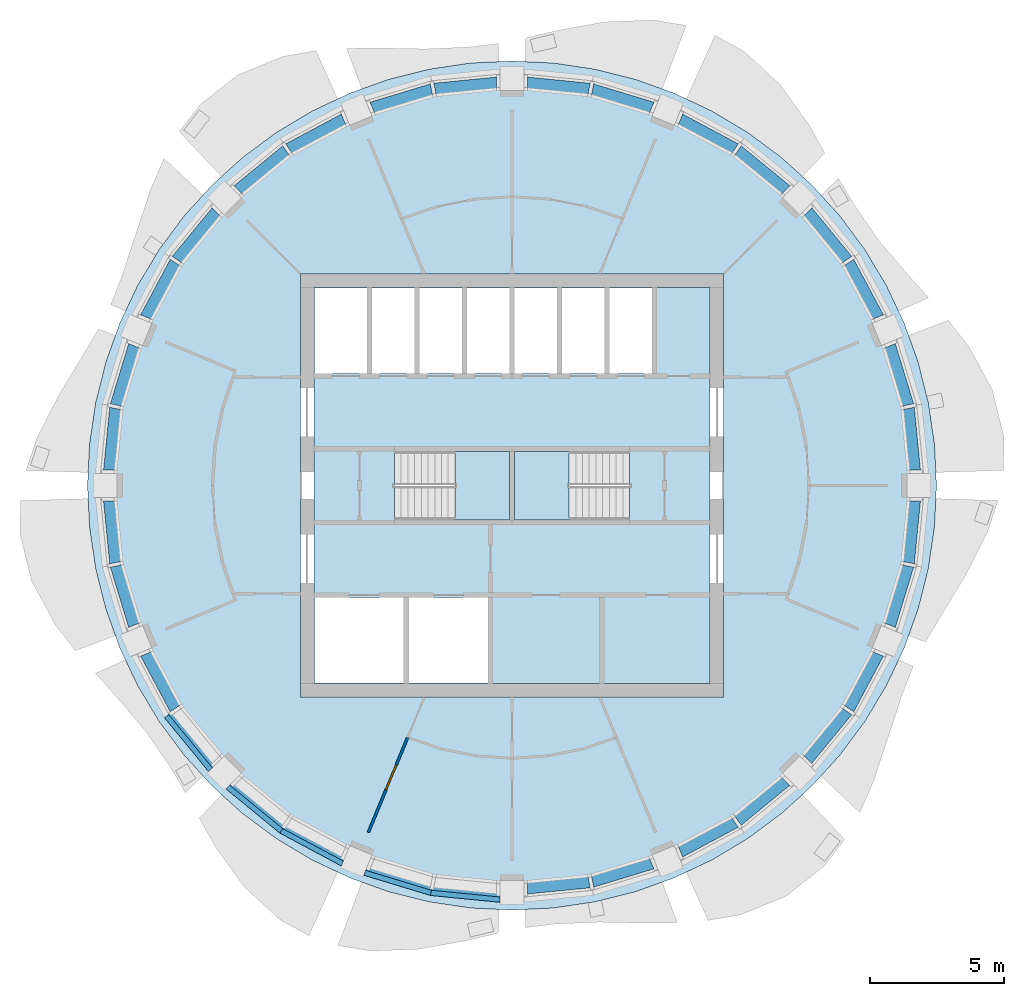
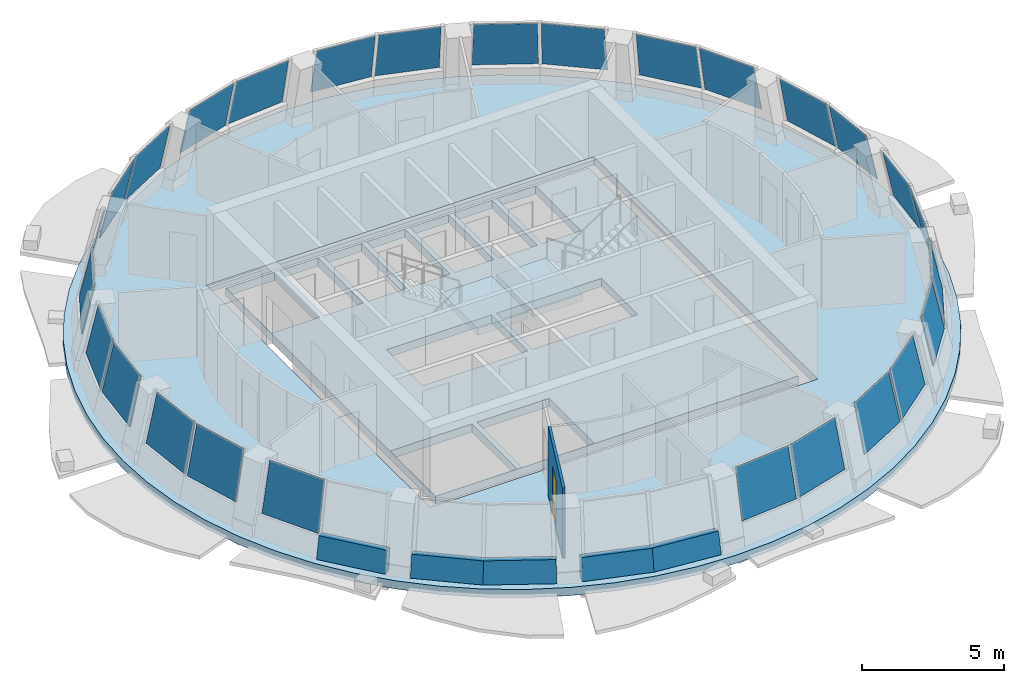
# One storey, part 3 of 11: 27 plates, 6 walls, 4 slabs, 1 door, 1 opening, 16 elements without a shape of their own.
"""IFC4 building model written with IfcOpenShell, lengths in metres."""

from ifc_helpers import new_model, si_unit, direction, frame, frame_2d, origin, place, context, subcontext, project, spatial, polyline, rectangle, outline, extrude, material, layer, layer_set, type_object, element, fill, aggregate, save


model = new_model("IFC4")

# Units and contexts
model_context = context("Model", 3, precision=1e-05, world=origin(), true_north=direction((0.0, 1.0)))
body_context = subcontext(model_context, "Body", "Model", "MODEL_VIEW")
ifc_project = project(units=[si_unit("LENGTHUNIT", "METRE"), si_unit("AREAUNIT", "SQUARE_METRE"), si_unit("VOLUMEUNIT", "CUBIC_METRE"), si_unit("PLANEANGLEUNIT", "RADIAN"), si_unit("MASSUNIT", "GRAM", prefix="KILO")], contexts=[model_context])

# Site, building, storey
site_placement = place(None, origin())
site = spatial("IfcSite", under=ifc_project, at=site_placement, CompositionType="ELEMENT")
building_placement = place(site_placement, origin())
building = spatial("IfcBuilding", under=site, at=building_placement, Name="Polderwave Tower", CompositionType="ELEMENT")
storey_placement = place(building_placement, frame((0.0, 0.0, 224.5)))
storey = spatial("IfcBuildingStorey", under=building, at=storey_placement, Name="L61", CompositionType="ELEMENT", Elevation=224.5)

# Slab
ifc_material_1 = material(Name="Concrete C40/50", Category="concrete")
ifc_layer_1 = layer(ifc_material_1, 0.35009765625)
ifc_layer_set_1 = layer_set([ifc_layer_1], Name="Core floor slab 350")
slab_type_1 = type_object("IfcSlabType", Name="Core floor slab 350", PredefinedType="FLOOR", material=ifc_layer_set_1)
slab_1_placement = place(storey_placement, frame((0.0, 0.0, -0.35009765625)))
element("IfcSlab", 1, at=slab_1_placement, inside=storey, type_object=slab_type_1, Name="L61 core floor", PredefinedType="FLOOR", context=body_context, shape_type="SweptSolid", body=[
    extrude(outline(polyline([(-7.3740234375, -7.3740234375), (7.3740234375, -7.3740234375), (7.3740234375, 7.3740234375), (-7.3740234375, 7.3740234375), (-7.3740234375, -7.3740234375)]), holes=[polyline([(-7.35400390625, -7.35400390625), (-4.037109375, -7.35400390625), (-4.037109375, -4.174072265625), (-7.35400390625, -4.174072265625), (-7.35400390625, -7.35400390625)]), polyline([(-3.8369140625, -7.35400390625), (-0.89990234375, -7.35400390625), (-0.89990234375, -4.174072265625), (-3.8369140625, -4.174072265625), (-3.8369140625, -7.35400390625)]), polyline([(-7.35400390625, 4.174072265625), (-5.405517578125, 4.174072265625), (-5.405517578125, 7.35400390625), (-7.35400390625, 7.35400390625), (-7.35400390625, 4.174072265625)]), polyline([(-5.20556640625, 4.174072265625), (-3.636962890625, 4.174072265625), (-3.636962890625, 7.35400390625), (-5.20556640625, 7.35400390625), (-5.20556640625, 4.174072265625)]), polyline([(-3.43701171875, 4.174072265625), (-1.868408203125, 4.174072265625), (-1.868408203125, 7.35400390625), (-3.43701171875, 7.35400390625), (-3.43701171875, 4.174072265625)]), polyline([(-1.66845703125, 4.174072265625), (-0.10009765625, 4.174072265625), (-0.10009765625, 7.35400390625), (-1.66845703125, 7.35400390625), (-1.66845703125, 4.174072265625)]), polyline([(0.10009765625, 4.174072265625), (1.66845703125, 4.174072265625), (1.66845703125, 7.35400390625), (0.10009765625, 7.35400390625), (0.10009765625, 4.174072265625)]), polyline([(1.868408203125, 4.174072265625), (3.43701171875, 4.174072265625), (3.43701171875, 7.35400390625), (1.868408203125, 7.35400390625), (1.868408203125, 4.174072265625)]), polyline([(3.636962890625, 4.174072265625), (5.20556640625, 4.174072265625), (5.20556640625, 7.35400390625), (3.636962890625, 7.35400390625), (3.636962890625, 4.174072265625)]), polyline([(-4.37353515625, -1.2744140625), (-0.1005859375, -1.2744140625), (-0.1005859375, 1.2744140625), (-4.37353515625, 1.2744140625), (-4.37353515625, -1.2744140625)]), polyline([(0.1005859375, -1.2744140625), (4.37353515625, -1.2744140625), (4.37353515625, 1.2744140625), (0.1005859375, 1.2744140625), (0.1005859375, -1.2744140625)])]), origin(), (0.0, 0.0, 1.0), 0.35009765625),
])

# Curtain wall, plates
ifc_material_2 = material(Name="Aluminium 6063-T6 and glass", Category="aluminium")
curtain_wall_type = type_object("IfcCurtainWallType", Name="Office ribbon glazing, leaning storey wall", PredefinedType="NOTDEFINED", material=ifc_material_2)
curtain_wall_1_placement = place(storey_placement, origin())
curtain_wall_1 = element("IfcCurtainWall", 2, at=curtain_wall_1_placement, inside=storey, type_object=curtain_wall_type, Name="CW9 L61 00", PredefinedType="NOTDEFINED")
ifc_material_3 = material(Name="Glass, low-e laminated double glazing", Category="glass")
ifc_layer_2 = layer(ifc_material_3, 0.031982421875)
ifc_layer_set_2 = layer_set([ifc_layer_2], Name="Office ribbon glazing, leaning storey glass panel 32 mm")
plate_type = type_object("IfcPlateType", Name="Office ribbon glazing, leaning storey glass panel 32 mm", PredefinedType="CURTAIN_PANEL", material=ifc_layer_set_2)
plate_1_placement = place(storey_placement, frame((15.201904296875, 0.579345703125, 0.89990234375), z_axis=(0.972508174075, 0.095621413296, 0.212330866047), x_axis=(-0.097855491372, 0.995200634364, 1.3064827e-05)))
plate_1 = element("IfcPlate", 3, at=plate_1_placement, type_object=plate_type, Name="CW9 panel 1", PredefinedType="CURTAIN_PANEL", context=body_context, shape_type="SweptSolid", body=[
    extrude(outline(polyline([(0.0, 0.0), (2.3437819879392676, 6.938893903907228e-18), (2.300051819724708, 2.0878609082277633), (0.043626816760536646, 2.0876725740864033), (0.0, 0.0)])), origin(), (0.0, 0.0, -1.0), 0.031982421875),
])
plate_2_placement = place(storey_placement, frame((14.947265625, 3.038818359375, 0.89990234375), z_axis=(0.935037416916, 0.28380342779, 0.212510337024), x_axis=(-0.290437128398, 0.956894076921, -1.11406e-06)))
plate_2 = element("IfcPlate", 4, at=plate_2_placement, type_object=plate_type, Name="CW9 panel 2", PredefinedType="CURTAIN_PANEL", context=body_context, shape_type="SweptSolid", body=[
    extrude(outline(polyline([(0.0, 0.0), (2.3444650449047857, 2.7755575615628914e-17), (2.3007856422574893, 2.0877277951131155), (0.04382551183935633, 2.087722549024382), (0.0, 0.0)])), origin(), (0.0, 0.0, -1.0), 0.031982421875),
])
aggregate(curtain_wall_1, [plate_1, plate_2])

curtain_wall_2_placement = place(storey_placement, origin())
curtain_wall_2 = element("IfcCurtainWall", 5, at=curtain_wall_2_placement, inside=storey, type_object=curtain_wall_type, Name="CW9 L61 01", PredefinedType="NOTDEFINED")
plate_3_placement = place(storey_placement, frame((13.822998046875, 6.352294921875, 0.89990234375), z_axis=(0.861814127716, 0.460512157525, 0.212614585673), x_axis=(-0.471287750256, 0.881979510226, 7.25462e-07)))
plate_3 = element("IfcPlate", 6, at=plate_3_placement, type_object=plate_type, Name="CW9 panel 1", PredefinedType="CURTAIN_PANEL", context=body_context, shape_type="SweptSolid", body=[
    extrude(outline(polyline([(0.0, 0.0), (2.344583693669687, 0.0), (2.3002594028863528, 2.087771916569417), (0.04370998699872591, 2.0877753326216024), (0.0, 0.0)])), origin(), (0.0, 0.0, -1.0), 0.031982421875),
])
plate_4_placement = place(storey_placement, frame((12.646240234375, 8.527587890625, 0.89990234375), z_axis=(0.755348638248, 0.619883573612, 0.212585958764), x_axis=(-0.63438428693, 0.773017837113, 1.166226e-06)))
plate_4 = element("IfcPlate", 7, at=plate_4_placement, type_object=plate_type, Name="CW9 panel 2", PredefinedType="CURTAIN_PANEL", context=body_context, shape_type="SweptSolid", body=[
    extrude(outline(polyline([(0.0, 0.0), (2.3440852243026784, 0.0), (2.3008907951309863, 2.0877575704048743), (0.043364006357660495, 2.087763062461303), (0.0, 0.0)])), origin(), (0.0, 0.0, -1.0), 0.031982421875),
])
aggregate(curtain_wall_2, [plate_3, plate_4])

curtain_wall_3_placement = place(storey_placement, origin())
curtain_wall_3 = element("IfcCurtainWall", 8, at=curtain_wall_3_placement, inside=storey, type_object=curtain_wall_type, Name="CW9 L61 02", PredefinedType="NOTDEFINED")
plate_5_placement = place(storey_placement, frame((10.339599609375, 11.1591796875, 0.89990234375), z_axis=(0.619915640081, 0.755369947253, 0.21241667065), x_axis=(-0.773010851053, 0.634392799575, 1.228565e-06)))
plate_5 = element("IfcPlate", 9, at=plate_5_placement, type_object=plate_type, Name="CW9 panel 1", PredefinedType="CURTAIN_PANEL", context=body_context, shape_type="SweptSolid", body=[
    extrude(outline(polyline([(0.0, 0.0), (2.344085224298744, 0.0), (2.300687373709185, 2.0879286108171056), (0.04316058492420179, 2.0876845539973874), (0.0, 0.0)])), origin(), (0.0, 0.0, -1.0), 0.031982421875),
])
plate_6_placement = place(storey_placement, frame((8.420166015625, 12.718017578125, 0.89990234375), z_axis=(0.460493305014, 0.861830692327, 0.21258827296), x_axis=(-0.881990762305, 0.471266692197, -5.919806e-06)))
plate_6 = element("IfcPlate", 10, at=plate_6_placement, type_object=plate_type, Name="CW9 panel 2", PredefinedType="CURTAIN_PANEL", context=body_context, shape_type="SweptSolid", body=[
    extrude(outline(polyline([(0.0, 0.0), (2.344583692774318, -2.7755575615628914e-17), (2.3008737075496373, 2.0877753316532393), (0.04410896236419888, 2.0877474553612014), (0.0, 0.0)])), origin(), (0.0, 0.0, -1.0), 0.031982421875),
])
aggregate(curtain_wall_3, [plate_5, plate_6])

curtain_wall_4_placement = place(storey_placement, origin())
curtain_wall_4 = element("IfcCurtainWall", 11, at=curtain_wall_4_placement, inside=storey, type_object=curtain_wall_type, Name="CW9 L61 03", PredefinedType="NOTDEFINED")
plate_7_placement = place(storey_placement, frame((5.2822265625, 14.266357421875, 0.89990234375), z_axis=(0.283872566469, 0.935055597872, 0.212337926179), x_axis=(-0.956876796998, 0.290494053588, 1.4039898e-05)))
plate_7 = element("IfcPlate", 12, at=plate_7_placement, type_object=plate_type, Name="CW9 panel 1", PredefinedType="CURTAIN_PANEL", context=body_context, shape_type="SweptSolid", body=[
    extrude(outline(polyline([(0.0, 0.0), (2.3444650398120883, 0.0), (2.30078135067387, 2.08786188043854), (0.04375029886225355, 2.0876781547228083), (0.0, 0.0)])), origin(), (0.0, 0.0, -1.0), 0.031982421875),
])
plate_8_placement = place(storey_placement, frame((2.911865234375, 14.972412109375, 0.89990234375), z_axis=(0.095680185962, 0.972463331795, 0.212509694669), x_axis=(-0.995194619632, 0.097916643408, 2.8699e-07)))
plate_8 = element("IfcPlate", 13, at=plate_8_placement, type_object=plate_type, Name="CW9 panel 2", PredefinedType="CURTAIN_PANEL", context=body_context, shape_type="SweptSolid", body=[
    extrude(outline(polyline([(0.0, 0.0), (2.343781992373915, 0.0), (2.300131261716739, 2.0877241979706196), (0.043682366781329855, 2.087725549052429), (0.0, 0.0)])), origin(), (0.0, 0.0, -1.0), 0.031982421875),
])
aggregate(curtain_wall_4, [plate_7, plate_8])

curtain_wall_5_placement = place(storey_placement, origin())
curtain_wall_5 = element("IfcCurtainWall", 14, at=curtain_wall_5_placement, inside=storey, type_object=curtain_wall_type, Name="CW9 L61 04", PredefinedType="NOTDEFINED")
plate_9_placement = place(storey_placement, frame((-0.579345703125, 15.201904296875, 0.89990234375), z_axis=(-0.095621413296, 0.972508174075, 0.212330866047), x_axis=(-0.995200634364, -0.097855491372, 1.3064827e-05)))
plate_9 = element("IfcPlate", 15, at=plate_9_placement, type_object=plate_type, Name="CW9 panel 1", PredefinedType="CURTAIN_PANEL", context=body_context, shape_type="SweptSolid", body=[
    extrude(outline(polyline([(0.0, 0.0), (2.3437819879392676, 6.938893903907228e-18), (2.300051819724708, 2.0878609082277633), (0.043626816760536646, 2.0876725740864033), (0.0, 0.0)])), origin(), (0.0, 0.0, -1.0), 0.031982421875),
])
plate_10_placement = place(storey_placement, frame((-3.038818359375, 14.947265625, 0.89990234375), z_axis=(-0.28380342779, 0.935037416916, 0.212510337024), x_axis=(-0.956894076921, -0.290437128398, -1.11406e-06)))
plate_10 = element("IfcPlate", 16, at=plate_10_placement, type_object=plate_type, Name="CW9 panel 2", PredefinedType="CURTAIN_PANEL", context=body_context, shape_type="SweptSolid", body=[
    extrude(outline(polyline([(0.0, 0.0), (2.3444650449047857, 2.7755575615628914e-17), (2.3007856422574893, 2.0877277951131155), (0.04382551183935633, 2.087722549024382), (0.0, 0.0)])), origin(), (0.0, 0.0, -1.0), 0.031982421875),
])
aggregate(curtain_wall_5, [plate_9, plate_10])

curtain_wall_6_placement = place(storey_placement, origin())
curtain_wall_6 = element("IfcCurtainWall", 17, at=curtain_wall_6_placement, inside=storey, type_object=curtain_wall_type, Name="CW9 L61 05", PredefinedType="NOTDEFINED")
plate_11_placement = place(storey_placement, frame((-6.352294921875, 13.822998046875, 0.89990234375), z_axis=(-0.460512157525, 0.861814127716, 0.212614585673), x_axis=(-0.881979510226, -0.471287750256, 7.25462e-07)))
plate_11 = element("IfcPlate", 18, at=plate_11_placement, type_object=plate_type, Name="CW9 panel 1", PredefinedType="CURTAIN_PANEL", context=body_context, shape_type="SweptSolid", body=[
    extrude(outline(polyline([(0.0, 0.0), (2.344583693669687, 0.0), (2.3002594028863528, 2.087771916569417), (0.04370998699872591, 2.0877753326216024), (0.0, 0.0)])), origin(), (0.0, 0.0, -1.0), 0.031982421875),
])
plate_12_placement = place(storey_placement, frame((-8.527587890625, 12.646240234375, 0.89990234375), z_axis=(-0.619883573612, 0.755348638248, 0.212585958764), x_axis=(-0.773017837113, -0.63438428693, 1.166226e-06)))
plate_12 = element("IfcPlate", 19, at=plate_12_placement, type_object=plate_type, Name="CW9 panel 2", PredefinedType="CURTAIN_PANEL", context=body_context, shape_type="SweptSolid", body=[
    extrude(outline(polyline([(0.0, 0.0), (2.3440852243026784, 0.0), (2.3008907951309863, 2.0877575704048743), (0.043364006357660495, 2.087763062461303), (0.0, 0.0)])), origin(), (0.0, 0.0, -1.0), 0.031982421875),
])
aggregate(curtain_wall_6, [plate_11, plate_12])

curtain_wall_7_placement = place(storey_placement, origin())
curtain_wall_7 = element("IfcCurtainWall", 20, at=curtain_wall_7_placement, inside=storey, type_object=curtain_wall_type, Name="CW9 L61 06", PredefinedType="NOTDEFINED")
plate_13_placement = place(storey_placement, frame((-11.1591796875, 10.339599609375, 0.89990234375), z_axis=(-0.755369947253, 0.619915640081, 0.21241667065), x_axis=(-0.634392799575, -0.773010851053, 1.228565e-06)))
plate_13 = element("IfcPlate", 21, at=plate_13_placement, type_object=plate_type, Name="CW9 panel 1", PredefinedType="CURTAIN_PANEL", context=body_context, shape_type="SweptSolid", body=[
    extrude(outline(polyline([(0.0, 0.0), (2.344085224298744, 0.0), (2.300687373709185, 2.0879286108171056), (0.04316058492420179, 2.0876845539973874), (0.0, 0.0)])), origin(), (0.0, 0.0, -1.0), 0.031982421875),
])
plate_14_placement = place(storey_placement, frame((-12.718017578125, 8.420166015625, 0.89990234375), z_axis=(-0.861830692327, 0.460493305014, 0.21258827296), x_axis=(-0.471266692197, -0.881990762305, -5.919806e-06)))
plate_14 = element("IfcPlate", 22, at=plate_14_placement, type_object=plate_type, Name="CW9 panel 2", PredefinedType="CURTAIN_PANEL", context=body_context, shape_type="SweptSolid", body=[
    extrude(outline(polyline([(0.0, 0.0), (2.344583692774318, -2.7755575615628914e-17), (2.3008737075496373, 2.0877753316532393), (0.04410896236419888, 2.0877474553612014), (0.0, 0.0)])), origin(), (0.0, 0.0, -1.0), 0.031982421875),
])
aggregate(curtain_wall_7, [plate_13, plate_14])

curtain_wall_8_placement = place(storey_placement, origin())
curtain_wall_8 = element("IfcCurtainWall", 23, at=curtain_wall_8_placement, inside=storey, type_object=curtain_wall_type, Name="CW9 L61 07", PredefinedType="NOTDEFINED")
plate_15_placement = place(storey_placement, frame((-14.266357421875, 5.2822265625, 0.89990234375), z_axis=(-0.935055597872, 0.283872566469, 0.212337926179), x_axis=(-0.290494053588, -0.956876796998, 1.4039898e-05)))
plate_15 = element("IfcPlate", 24, at=plate_15_placement, type_object=plate_type, Name="CW9 panel 1", PredefinedType="CURTAIN_PANEL", context=body_context, shape_type="SweptSolid", body=[
    extrude(outline(polyline([(0.0, 0.0), (2.3444650398120883, 0.0), (2.30078135067387, 2.08786188043854), (0.04375029886225355, 2.0876781547228083), (0.0, 0.0)])), origin(), (0.0, 0.0, -1.0), 0.031982421875),
])
plate_16_placement = place(storey_placement, frame((-14.972412109375, 2.911865234375, 0.89990234375), z_axis=(-0.972463331795, 0.095680185962, 0.212509694669), x_axis=(-0.097916643408, -0.995194619632, 2.8699e-07)))
plate_16 = element("IfcPlate", 25, at=plate_16_placement, type_object=plate_type, Name="CW9 panel 2", PredefinedType="CURTAIN_PANEL", context=body_context, shape_type="SweptSolid", body=[
    extrude(outline(polyline([(0.0, 0.0), (2.343781992373915, 0.0), (2.300131261716739, 2.0877241979706196), (0.043682366781329855, 2.087725549052429), (0.0, 0.0)])), origin(), (0.0, 0.0, -1.0), 0.031982421875),
])
aggregate(curtain_wall_8, [plate_15, plate_16])

curtain_wall_9_placement = place(storey_placement, origin())
curtain_wall_9 = element("IfcCurtainWall", 26, at=curtain_wall_9_placement, inside=storey, type_object=curtain_wall_type, Name="CW9 L61 08", PredefinedType="NOTDEFINED")
plate_17_placement = place(storey_placement, frame((-15.201904296875, -0.579345703125, 0.89990234375), z_axis=(-0.972508174075, -0.095621413296, 0.212330866047), x_axis=(0.097855491372, -0.995200634364, 1.3064827e-05)))
plate_17 = element("IfcPlate", 27, at=plate_17_placement, type_object=plate_type, Name="CW9 panel 1", PredefinedType="CURTAIN_PANEL", context=body_context, shape_type="SweptSolid", body=[
    extrude(outline(polyline([(0.0, 0.0), (2.3437819879392676, 6.938893903907228e-18), (2.300051819724708, 2.0878609082277633), (0.043626816760536646, 2.0876725740864033), (0.0, 0.0)])), origin(), (0.0, 0.0, -1.0), 0.031982421875),
])
plate_18_placement = place(storey_placement, frame((-14.947265625, -3.038818359375, 0.89990234375), z_axis=(-0.935037416916, -0.28380342779, 0.212510337024), x_axis=(0.290437128398, -0.956894076921, -1.11406e-06)))
plate_18 = element("IfcPlate", 28, at=plate_18_placement, type_object=plate_type, Name="CW9 panel 2", PredefinedType="CURTAIN_PANEL", context=body_context, shape_type="SweptSolid", body=[
    extrude(outline(polyline([(0.0, 0.0), (2.3444650449047857, 2.7755575615628914e-17), (2.3007856422574893, 2.0877277951131155), (0.04382551183935633, 2.087722549024382), (0.0, 0.0)])), origin(), (0.0, 0.0, -1.0), 0.031982421875),
])
aggregate(curtain_wall_9, [plate_17, plate_18])

# Curtain wall, plate
curtain_wall_10_placement = place(storey_placement, origin())
curtain_wall_10 = element("IfcCurtainWall", 29, at=curtain_wall_10_placement, inside=storey, type_object=curtain_wall_type, Name="CW9 L61 09", PredefinedType="NOTDEFINED")
plate_19_placement = place(storey_placement, frame((-13.822998046875, -6.352294921875, 0.89990234375), z_axis=(-0.861814127716, -0.460512157525, 0.212614585673), x_axis=(0.471287750256, -0.881979510226, 7.25462e-07)))
plate_19 = element("IfcPlate", 30, at=plate_19_placement, type_object=plate_type, Name="CW9 panel 1", PredefinedType="CURTAIN_PANEL", context=body_context, shape_type="SweptSolid", body=[
    extrude(outline(polyline([(0.0, 0.0), (2.344583693669687, 0.0), (2.3002594028863528, 2.087771916569417), (0.04370998699872591, 2.0877753326216024), (0.0, 0.0)])), origin(), (0.0, 0.0, -1.0), 0.031982421875),
])
aggregate(curtain_wall_10, [plate_19])

# Curtain wall, plates
curtain_wall_11_placement = place(storey_placement, origin())
curtain_wall_11 = element("IfcCurtainWall", 31, at=curtain_wall_11_placement, inside=storey, type_object=curtain_wall_type, Name="CW9 L61 12", PredefinedType="NOTDEFINED")
plate_20_placement = place(storey_placement, frame((0.579345703125, -15.201904296875, 0.89990234375), z_axis=(0.095621413296, -0.972508174075, 0.212330866047), x_axis=(0.995200634364, 0.097855491372, 1.3064827e-05)))
plate_20 = element("IfcPlate", 32, at=plate_20_placement, type_object=plate_type, Name="CW9 panel 1", PredefinedType="CURTAIN_PANEL", context=body_context, shape_type="SweptSolid", body=[
    extrude(outline(polyline([(0.0, 0.0), (2.3437819879392676, 6.938893903907228e-18), (2.300051819724708, 2.0878609082277633), (0.043626816760536646, 2.0876725740864033), (0.0, 0.0)])), origin(), (0.0, 0.0, -1.0), 0.031982421875),
])
plate_21_placement = place(storey_placement, frame((3.038818359375, -14.947265625, 0.89990234375), z_axis=(0.28380342779, -0.935037416916, 0.212510337024), x_axis=(0.956894076921, 0.290437128398, -1.11406e-06)))
plate_21 = element("IfcPlate", 33, at=plate_21_placement, type_object=plate_type, Name="CW9 panel 2", PredefinedType="CURTAIN_PANEL", context=body_context, shape_type="SweptSolid", body=[
    extrude(outline(polyline([(0.0, 0.0), (2.3444650449047857, 2.7755575615628914e-17), (2.3007856422574893, 2.0877277951131155), (0.04382551183935633, 2.087722549024382), (0.0, 0.0)])), origin(), (0.0, 0.0, -1.0), 0.031982421875),
])
aggregate(curtain_wall_11, [plate_20, plate_21])

curtain_wall_12_placement = place(storey_placement, origin())
curtain_wall_12 = element("IfcCurtainWall", 34, at=curtain_wall_12_placement, inside=storey, type_object=curtain_wall_type, Name="CW9 L61 13", PredefinedType="NOTDEFINED")
plate_22_placement = place(storey_placement, frame((6.352294921875, -13.822998046875, 0.89990234375), z_axis=(0.460512157525, -0.861814127716, 0.212614585673), x_axis=(0.881979510226, 0.471287750256, 7.25462e-07)))
plate_22 = element("IfcPlate", 35, at=plate_22_placement, type_object=plate_type, Name="CW9 panel 1", PredefinedType="CURTAIN_PANEL", context=body_context, shape_type="SweptSolid", body=[
    extrude(outline(polyline([(0.0, 0.0), (2.344583693669687, 0.0), (2.3002594028863528, 2.087771916569417), (0.04370998699872591, 2.0877753326216024), (0.0, 0.0)])), origin(), (0.0, 0.0, -1.0), 0.031982421875),
])
plate_23_placement = place(storey_placement, frame((8.527587890625, -12.646240234375, 0.89990234375), z_axis=(0.619883573612, -0.755348638248, 0.212585958764), x_axis=(0.773017837113, 0.63438428693, 1.166226e-06)))
plate_23 = element("IfcPlate", 36, at=plate_23_placement, type_object=plate_type, Name="CW9 panel 2", PredefinedType="CURTAIN_PANEL", context=body_context, shape_type="SweptSolid", body=[
    extrude(outline(polyline([(0.0, 0.0), (2.3440852243026784, 0.0), (2.3008907951309863, 2.0877575704048743), (0.043364006357660495, 2.087763062461303), (0.0, 0.0)])), origin(), (0.0, 0.0, -1.0), 0.031982421875),
])
aggregate(curtain_wall_12, [plate_22, plate_23])

curtain_wall_13_placement = place(storey_placement, origin())
curtain_wall_13 = element("IfcCurtainWall", 37, at=curtain_wall_13_placement, inside=storey, type_object=curtain_wall_type, Name="CW9 L61 14", PredefinedType="NOTDEFINED")
plate_24_placement = place(storey_placement, frame((11.1591796875, -10.339599609375, 0.89990234375), z_axis=(0.755369947253, -0.619915640081, 0.21241667065), x_axis=(0.634392799575, 0.773010851053, 1.228565e-06)))
plate_24 = element("IfcPlate", 38, at=plate_24_placement, type_object=plate_type, Name="CW9 panel 1", PredefinedType="CURTAIN_PANEL", context=body_context, shape_type="SweptSolid", body=[
    extrude(outline(polyline([(0.0, 0.0), (2.344085224298744, 0.0), (2.300687373709185, 2.0879286108171056), (0.04316058492420179, 2.0876845539973874), (0.0, 0.0)])), origin(), (0.0, 0.0, -1.0), 0.031982421875),
])
plate_25_placement = place(storey_placement, frame((12.718017578125, -8.420166015625, 0.89990234375), z_axis=(0.861830692327, -0.460493305014, 0.21258827296), x_axis=(0.471266692197, 0.881990762305, -5.919806e-06)))
plate_25 = element("IfcPlate", 39, at=plate_25_placement, type_object=plate_type, Name="CW9 panel 2", PredefinedType="CURTAIN_PANEL", context=body_context, shape_type="SweptSolid", body=[
    extrude(outline(polyline([(0.0, 0.0), (2.344583692774318, -2.7755575615628914e-17), (2.3008737075496373, 2.0877753316532393), (0.04410896236419888, 2.0877474553612014), (0.0, 0.0)])), origin(), (0.0, 0.0, -1.0), 0.031982421875),
])
aggregate(curtain_wall_13, [plate_24, plate_25])

curtain_wall_14_placement = place(storey_placement, origin())
curtain_wall_14 = element("IfcCurtainWall", 40, at=curtain_wall_14_placement, inside=storey, type_object=curtain_wall_type, Name="CW9 L61 15", PredefinedType="NOTDEFINED")
plate_26_placement = place(storey_placement, frame((14.266357421875, -5.2822265625, 0.89990234375), z_axis=(0.935055597872, -0.283872566469, 0.212337926179), x_axis=(0.290494053588, 0.956876796998, 1.4039898e-05)))
plate_26 = element("IfcPlate", 41, at=plate_26_placement, type_object=plate_type, Name="CW9 panel 1", PredefinedType="CURTAIN_PANEL", context=body_context, shape_type="SweptSolid", body=[
    extrude(outline(polyline([(0.0, 0.0), (2.3444650398120883, 0.0), (2.30078135067387, 2.08786188043854), (0.04375029886225355, 2.0876781547228083), (0.0, 0.0)])), origin(), (0.0, 0.0, -1.0), 0.031982421875),
])
plate_27_placement = place(storey_placement, frame((14.972412109375, -2.911865234375, 0.89990234375), z_axis=(0.972463331795, -0.095680185962, 0.212509694669), x_axis=(0.097916643408, 0.995194619632, 2.8699e-07)))
plate_27 = element("IfcPlate", 42, at=plate_27_placement, type_object=plate_type, Name="CW9 panel 2", PredefinedType="CURTAIN_PANEL", context=body_context, shape_type="SweptSolid", body=[
    extrude(outline(polyline([(0.0, 0.0), (2.343781992373915, 0.0), (2.300131261716739, 2.0877241979706196), (0.043682366781329855, 2.087725549052429), (0.0, 0.0)])), origin(), (0.0, 0.0, -1.0), 0.031982421875),
])
aggregate(curtain_wall_14, [plate_26, plate_27])

# Slab
ifc_layer_3 = layer(ifc_material_1, 0.35009765625)
ifc_layer_set_3 = layer_set([ifc_layer_3], Name="PT FLOOR SLAB 350 C40/50")
slab_type_2 = type_object("IfcSlabType", Name="PT FLOOR SLAB 350 C40/50", PredefinedType="FLOOR", material=ifc_layer_set_3)
slab_2_placement = place(storey_placement, frame((0.0, 0.0, -0.35009765625)))
element("IfcSlab", 43, at=slab_2_placement, inside=storey, type_object=slab_type_2, Name="ST-SLAB-L61", PredefinedType="FLOOR", context=body_context, shape_type="SweptSolid", body=[
    extrude(outline(polyline([(15.800048828125, 0.0), (15.723876953125, 1.548583984375), (15.496337890625, 3.08251953125), (15.11962890625, 4.58642578125), (14.597412109375, 6.04638671875), (13.934326171875, 7.447998046875), (13.13720703125, 8.778076171875), (12.213623046875, 10.0234375), (11.17236328125, 11.17236328125), (10.0234375, 12.213623046875), (8.778076171875, 13.13720703125), (7.447998046875, 13.934326171875), (6.04638671875, 14.597412109375), (4.58642578125, 15.11962890625), (3.08251953125, 15.496337890625), (1.548583984375, 15.723876953125), (0.0, 15.800048828125), (-1.548583984375, 15.723876953125), (-3.08251953125, 15.496337890625), (-4.58642578125, 15.11962890625), (-6.04638671875, 14.597412109375), (-7.447998046875, 13.934326171875), (-8.778076171875, 13.13720703125), (-10.0234375, 12.213623046875), (-11.17236328125, 11.17236328125), (-12.213623046875, 10.0234375), (-13.13720703125, 8.778076171875), (-13.934326171875, 7.447998046875), (-14.597412109375, 6.04638671875), (-15.11962890625, 4.58642578125), (-15.496337890625, 3.08251953125), (-15.723876953125, 1.548583984375), (-15.800048828125, 0.0), (-15.723876953125, -1.548583984375), (-15.496337890625, -3.08251953125), (-15.11962890625, -4.58642578125), (-14.597412109375, -6.04638671875), (-13.934326171875, -7.447998046875), (-13.13720703125, -8.778076171875), (-12.213623046875, -10.0234375), (-11.17236328125, -11.17236328125), (-10.0234375, -12.213623046875), (-8.778076171875, -13.13720703125), (-7.447998046875, -13.934326171875), (-6.04638671875, -14.597412109375), (-4.58642578125, -15.11962890625), (-3.08251953125, -15.496337890625), (-1.548583984375, -15.723876953125), (0.0, -15.800048828125), (1.548583984375, -15.723876953125), (3.08251953125, -15.496337890625), (4.58642578125, -15.11962890625), (6.04638671875, -14.597412109375), (7.447998046875, -13.934326171875), (8.778076171875, -13.13720703125), (10.0234375, -12.213623046875), (11.17236328125, -11.17236328125), (12.213623046875, -10.0234375), (13.13720703125, -8.778076171875), (13.934326171875, -7.447998046875), (14.597412109375, -6.04638671875), (15.11962890625, -4.58642578125), (15.496337890625, -3.08251953125), (15.723876953125, -1.548583984375), (15.800048828125, 0.0)]), holes=[polyline([(-7.8740234375, -7.8740234375), (7.8740234375, -7.8740234375), (7.8740234375, 7.8740234375), (-7.8740234375, 7.8740234375), (-7.8740234375, -7.8740234375)])]), origin(), (0.0, 0.0, 1.0), 0.35009765625),
])

# Stair, slab
stair_type = type_object("IfcStairType", Name="Exit stair 1200 x 20 risers", PredefinedType="HALF_TURN_STAIR", material=ifc_material_1)
stair_1_placement = place(storey_placement, origin())
stair_1 = element("IfcStair", 44, at=stair_1_placement, inside=storey, type_object=stair_type, Name="L61 Exit stair A", PredefinedType="HALF_TURN_STAIR")
ifc_layer_4 = layer(ifc_material_1, 0.300048828125)
ifc_layer_set_4 = layer_set([ifc_layer_4], Name="Stair landing 300")
slab_type_3 = type_object("IfcSlabType", Name="Stair landing 300", PredefinedType="LANDING", material=ifc_layer_set_4)
slab_3_placement = place(storey_placement, frame((0.0, 0.0, 1.375)))
slab_3 = element("IfcSlab", 45, at=slab_3_placement, type_object=slab_type_3, Name="ST-A landing 1", PredefinedType="LANDING", context=body_context, shape_type="SweptSolid", body=[
    extrude(outline(polyline([(-2.1240234375, -1.27490234375), (-0.10009765625, -1.27490234375), (-0.10009765625, 1.27490234375), (-2.1240234375, 1.27490234375), (-2.1240234375, -1.27490234375)])), origin(), (0.0, 0.0, 1.0), 0.300048828125),
])
aggregate(stair_1, [slab_3])

stair_2_placement = place(storey_placement, origin())
stair_2 = element("IfcStair", 46, at=stair_2_placement, inside=storey, type_object=stair_type, Name="L61 Exit stair B", PredefinedType="HALF_TURN_STAIR")
slab_4_placement = place(storey_placement, frame((0.0, 0.0, 1.375)))
slab_4 = element("IfcSlab", 47, at=slab_4_placement, type_object=slab_type_3, Name="ST-B landing 1", PredefinedType="LANDING", context=body_context, shape_type="SweptSolid", body=[
    extrude(outline(polyline([(2.1240234375, 1.27490234375), (0.10009765625, 1.27490234375), (0.10009765625, -1.27490234375), (2.1240234375, -1.27490234375), (2.1240234375, 1.27490234375)])), origin(), (0.0, 0.0, 1.0), 0.300048828125),
])
aggregate(stair_2, [slab_4])

# Walls
ifc_material_4 = material(Name="Concrete C50/60 (board-marked)", Category="concrete")
ifc_layer_5 = layer(ifc_material_4, 0.300048828125)
ifc_layer_set_5 = layer_set([ifc_layer_5], Name="Concrete spandrel upstand C50/60")
wall_type_1 = type_object("IfcWallType", Name="Concrete spandrel upstand C50/60", PredefinedType="SOLIDWALL", material=ifc_layer_set_5)
wall_1_placement = place(storey_placement, frame((-12.93408203125, -8.642578125, 0.0), z_axis=(-0.755344730477, -0.619832994913, 0.212747259813), x_axis=(0.634353703321, -0.77304293478, -8.415613e-06)))
element("IfcWall", 48, at=wall_1_placement, inside=storey, type_object=wall_type_1, Name="Spandrel L61 10b", PredefinedType="SOLIDWALL", context=body_context, shape_type="SweptSolid", body=[
    extrude(outline(polyline([(0.0, 0.0), (2.5937283276421317, 0.0), (2.574575610802007, 0.9210084137902412), (0.01920476721061935, 0.9209640657165162), (0.0, 0.0)])), origin(), (0.0, 0.0, -1.0), 0.300048828125),
])
wall_2_placement = place(storey_placement, frame((-10.647705078125, -11.288818359375, 0.0), z_axis=(-0.61984836301, -0.755409788391, 0.212471312127), x_axis=(0.77306114922, -0.634331506046, 2.160758e-06)))
element("IfcWall", 49, at=wall_2_placement, inside=storey, type_object=wall_type_1, Name="Spandrel L61 11a", PredefinedType="SOLIDWALL", context=body_context, shape_type="SweptSolid", body=[
    extrude(outline(polyline([(0.0, 0.0), (2.593728329537269, 5.551115123125783e-17), (2.5746784227651998, 0.9209239565177328), (0.019118847660090966, 0.9209353428660346), (0.0, 0.0)])), origin(), (0.0, 0.0, -1.0), 0.300048828125),
])
wall_3_placement = place(storey_placement, frame((-8.642578125, -12.93408203125, 0.0), z_axis=(-0.460573251826, -0.861774466564, 0.212643007131), x_axis=(0.881944420769, -0.471353411649, -1.528775e-06)))
element("IfcWall", 50, at=wall_3_placement, inside=storey, type_object=wall_type_1, Name="Spandrel L61 11b", PredefinedType="SOLIDWALL", context=body_context, shape_type="SweptSolid", body=[
    extrude(outline(polyline([(0.0, 0.0), (2.59492861148547, 0.0), (2.575513317260219, 0.9209688796464724), (0.0193600292076719, 0.9209608204871957), (0.0, 0.0)])), origin(), (0.0, 0.0, -1.0), 0.300048828125),
])
wall_4_placement = place(storey_placement, frame((-5.517578125, -14.50341796875, 0.0), z_axis=(-0.283815219823, -0.935089635807, 0.212264679123), x_axis=(0.956895239729, -0.290433297305, 1.256018e-06)))
element("IfcWall", 51, at=wall_4_placement, inside=storey, type_object=wall_type_1, Name="Spandrel L61 12a", PredefinedType="SOLIDWALL", context=body_context, shape_type="SweptSolid", body=[
    extrude(outline(polyline([(0.0, 0.0), (2.5950070976705564, 0.0), (2.575740816114674, 0.9208840189759286), (0.0195052048002585, 0.9208906399068612), (0.0, 0.0)])), origin(), (0.0, 0.0, -1.0), 0.300048828125),
])
wall_5_placement = place(storey_placement, frame((-3.034423828125, -15.257080078125, 0.0), z_axis=(-0.095619562057, -0.972456505396, 0.212568211321), x_axis=(0.995200473918, -0.097857123826, -5.472073e-06)))
element("IfcWall", 52, at=wall_5_placement, inside=storey, type_object=wall_type_1, Name="Spandrel L61 12b", PredefinedType="SOLIDWALL", context=body_context, shape_type="SweptSolid", body=[
    extrude(outline(polyline([(0.0, 0.0), (2.5939993212860575, 0.0), (2.574738332060873, 0.920963930420198), (0.019267377080073818, 0.920935093099123), (0.0, 0.0)])), origin(), (0.0, 0.0, -1.0), 0.300048828125),
])

# Wall, opening, door
ifc_material_5 = material(Name="Plasterboard on steel studs", Category="steel")
ifc_layer_6 = layer(ifc_material_5, 0.10009765625)
ifc_layer_set_6 = layer_set([ifc_layer_6], Name="Partition 100 mm plasterboard on steel studs")
wall_type_2 = type_object("IfcWallType", Name="Partition 100 mm plasterboard on steel studs", PredefinedType="PARTITIONING", material=ifc_layer_set_6)
wall_6_placement = place(storey_placement, frame((-3.88427734375, -9.37744140625, 0.0), z_axis=(0.0, 0.0, 1.0), x_axis=(-0.382713052283, -0.923867262983, 0.0)))
wall_6 = element("IfcWall", 53, at=wall_6_placement, inside=storey, type_object=wall_type_2, Name="IN-L61-W039", PredefinedType="PARTITIONING", context=body_context, shape_type="SweptSolid", body=[
    extrude(rectangle(XDim=3.81982421875, YDim=0.10009765625, at=frame_2d((1.909912109375, 0.0))), origin(), (0.0, 0.0, 1.0), 3.0),
])
opening_placement = place(wall_6_placement, frame((1.10009765625, 0.0, 0.0)))
opening = element("IfcOpeningElement", 54, at=opening_placement, cuts=wall_6, Name="Opening L61-D64", PredefinedType="OPENING", context=body_context, shape_type="SweptSolid", body=[
    extrude(rectangle(XDim=1.0, YDim=2.10009765625, at=frame_2d((0.5, 1.050048828125))), frame((0.0, 0.06005859375, 0.0), z_axis=(0.0, -1.0, 0.0), x_axis=(1.0, 0.0, 0.0)), (0.0, 0.0, 1.0), 0.1201171875),
])
ifc_material_6 = material(Name="Timber veneer door leaf", Category="wood")
door_type = type_object("IfcDoorType", Name="Single door 1000 x 2100", OperationType="NOTDEFINED", PredefinedType="DOOR", material=ifc_material_6)
door_placement = place(opening_placement, origin())
door = element("IfcDoor", 55, at=door_placement, inside=storey, type_object=door_type, Name="Door L61-D64", OperationType="SINGLE_SWING_LEFT", OverallHeight=2.10009765625, OverallWidth=1.0, PredefinedType="DOOR", context=body_context, shape_type="SweptSolid", body=[
    extrude(rectangle(XDim=1.0, YDim=2.10009765625, at=frame_2d((0.5, 1.050048828125))), frame((0.0, 0.02490234375, 0.0), z_axis=(0.0, -1.0, 0.0), x_axis=(1.0, 0.0, 0.0)), (0.0, 0.0, 1.0), 0.050048828125),
])
fill(opening, door)

save(model, "model.ifc")
